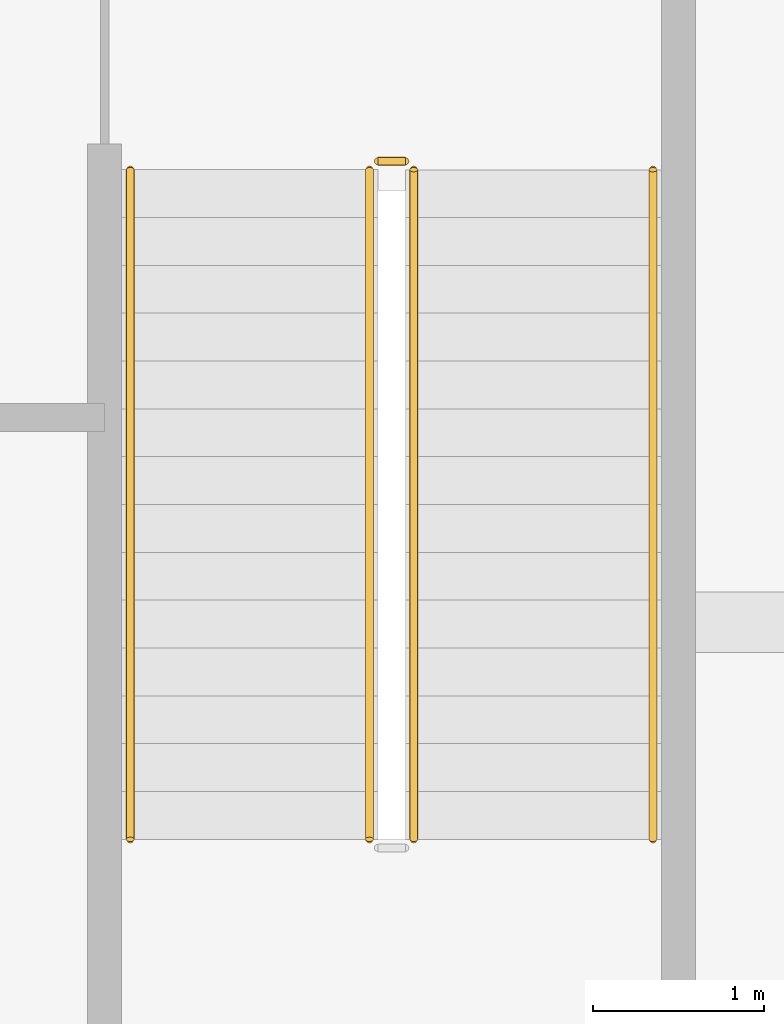
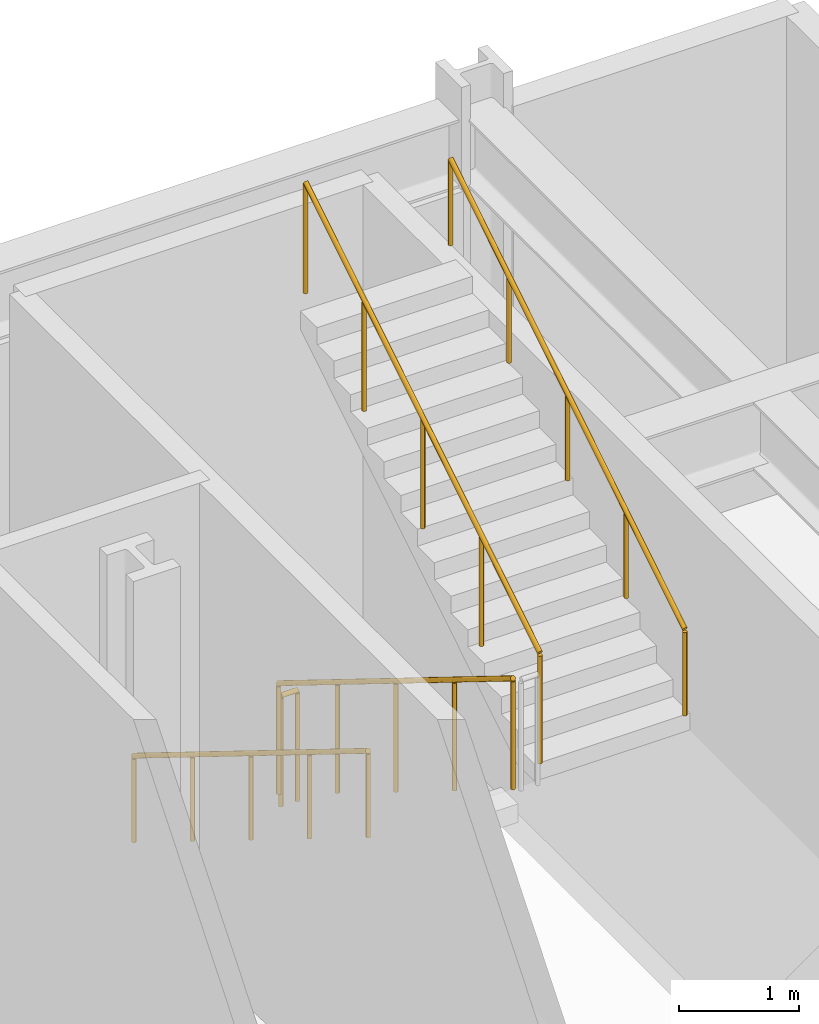
# One storey, part 21 of 21: 5 railings.
"""IFC4 building model written with IfcOpenShell, lengths in metres."""

from ifc_helpers import new_model, si_unit, direction, frame, origin, origin_2d, place, context, subcontext, project, spatial, circle, extrude, material, type_object, element, save


model = new_model("IFC4")

# Units and contexts
model_context = context("Model", 3, precision=1e-05, world=origin(), true_north=direction((0.0, 1.0)))
body_context = subcontext(model_context, "Body", "Model", "MODEL_VIEW")
ifc_project = project(units=[si_unit("LENGTHUNIT", "METRE"), si_unit("AREAUNIT", "SQUARE_METRE"), si_unit("VOLUMEUNIT", "CUBIC_METRE"), si_unit("PLANEANGLEUNIT", "RADIAN"), si_unit("MASSUNIT", "GRAM", prefix="KILO")], contexts=[model_context])

# Site, building, storey
site_placement = place(None, origin())
site = spatial("IfcSite", under=ifc_project, at=site_placement, CompositionType="ELEMENT")
building_placement = place(site_placement, origin())
building = spatial("IfcBuilding", under=site, at=building_placement, Name="Drelvath Grand Hotel", CompositionType="ELEMENT")
storey_placement = place(building_placement, frame((0.0, 0.0, 22.39990234375)))
storey = spatial("IfcBuildingStorey", under=building, at=storey_placement, Name="L04", CompositionType="ELEMENT", Elevation=22.39990234375)

# Railings
ifc_material = material(Name="Painted Steel S275", Category="steel")
railing_type_1 = type_object("IfcRailingType", Name="Core Stair Wall Handrail 900", PredefinedType="HANDRAIL", material=ifc_material)
railing_1_placement = place(storey_placement, frame((28.469970703125, 51.85009765625, 0.17333984375)))
element("IfcRailing", 1, at=railing_1_placement, inside=storey, type_object=railing_type_1, Name="L04 ST-4 stair handrail 1", PredefinedType="HANDRAIL", context=body_context, shape_type="SweptSolid", body=[
    extrude(circle(Radius=0.02392578125, at=origin_2d()), frame((0.0, 0.0, 0.8759765625), z_axis=(0.0, -0.850266275192, 0.526352791643), x_axis=(1.0, 0.0, 0.0)), (0.0, 0.0, 1.0), 4.610595703125),
    extrude(circle(Radius=0.02099609375, at=origin_2d()), origin(), (0.0, 0.0, 1.0), 0.851806640625),
    extrude(circle(Radius=0.02099609375, at=origin_2d()), frame((0.0, -0.97998046875, 0.606689453125)), (0.0, 0.0, 1.0), 0.851806640625),
    extrude(circle(Radius=0.02099609375, at=origin_2d()), frame((0.0, -1.9599609375, 1.21337890625)), (0.0, 0.0, 1.0), 0.851806640625),
    extrude(circle(Radius=0.02099609375, at=origin_2d()), frame((0.0, -2.940185546875, 1.820068359375)), (0.0, 0.0, 1.0), 0.851806640625),
    extrude(circle(Radius=0.02099609375, at=origin_2d()), frame((0.0, -3.920166015625, 2.4267578125)), (0.0, 0.0, 1.0), 0.851806640625),
])
railing_2_placement = place(storey_placement, frame((31.530029296875, 47.929931640625, 2.7734375)))
element("IfcRailing", 2, at=railing_2_placement, inside=storey, type_object=railing_type_1, Name="L04 ST-4 stair handrail 2", PredefinedType="HANDRAIL", context=body_context, shape_type="SweptSolid", body=[
    extrude(circle(Radius=0.02392578125, at=origin_2d()), frame((0.0, 0.0, 0.8759765625), z_axis=(0.0, 0.850266275192, 0.526352791643), x_axis=(-1.0, 0.0, 0.0)), (0.0, 0.0, 1.0), 4.610595703125),
    extrude(circle(Radius=0.02099609375, at=origin_2d()), origin(), (0.0, 0.0, 1.0), 0.851806640625),
    extrude(circle(Radius=0.02099609375, at=origin_2d()), frame((0.0, 0.97998046875, 0.606689453125)), (0.0, 0.0, 1.0), 0.851806640625),
    extrude(circle(Radius=0.02099609375, at=origin_2d()), frame((0.0, 1.9599609375, 1.21337890625)), (0.0, 0.0, 1.0), 0.851806640625),
    extrude(circle(Radius=0.02099609375, at=origin_2d()), frame((0.0, 2.940185546875, 1.820068359375)), (0.0, 0.0, 1.0), 0.851806640625),
    extrude(circle(Radius=0.02099609375, at=origin_2d()), frame((0.0, 3.920166015625, 2.4267578125)), (0.0, 0.0, 1.0), 0.851806640625),
])
railing_type_2 = type_object("IfcRailingType", Name="Core Stair Well Guardrail 1100", PredefinedType="GUARDRAIL", material=ifc_material)
railing_3_placement = place(storey_placement, frame((29.8701171875, 51.85009765625, 0.17333984375)))
element("IfcRailing", 3, at=railing_3_placement, inside=storey, type_object=railing_type_2, Name="L04 ST-4 stair guard 1", PredefinedType="GUARDRAIL", context=body_context, shape_type="SweptSolid", body=[
    extrude(circle(Radius=0.02392578125, at=origin_2d()), frame((0.0, 0.0, 1.1259765625), z_axis=(0.0, -0.850266275192, 0.526352791643), x_axis=(1.0, 0.0, 0.0)), (0.0, 0.0, 1.0), 4.610595703125),
    extrude(circle(Radius=0.02099609375, at=origin_2d()), origin(), (0.0, 0.0, 1.0), 1.101806640625),
    extrude(circle(Radius=0.02099609375, at=origin_2d()), frame((0.0, -0.97998046875, 0.606689453125)), (0.0, 0.0, 1.0), 1.101806640625),
    extrude(circle(Radius=0.02099609375, at=origin_2d()), frame((0.0, -1.9599609375, 1.21337890625)), (0.0, 0.0, 1.0), 1.101806640625),
    extrude(circle(Radius=0.02099609375, at=origin_2d()), frame((0.0, -2.940185546875, 1.820068359375)), (0.0, 0.0, 1.0), 1.101806640625),
    extrude(circle(Radius=0.02099609375, at=origin_2d()), frame((0.0, -3.920166015625, 2.4267578125)), (0.0, 0.0, 1.0), 1.101806640625),
])
railing_4_placement = place(storey_placement, frame((30.1298828125, 47.929931640625, 2.7734375)))
element("IfcRailing", 4, at=railing_4_placement, inside=storey, type_object=railing_type_2, Name="L04 ST-4 stair guard 3", PredefinedType="GUARDRAIL", context=body_context, shape_type="SweptSolid", body=[
    extrude(circle(Radius=0.02392578125, at=origin_2d()), frame((0.0, 0.0, 1.1259765625), z_axis=(0.0, 0.850266275192, 0.526352791643), x_axis=(-1.0, 0.0, 0.0)), (0.0, 0.0, 1.0), 4.610595703125),
    extrude(circle(Radius=0.02099609375, at=origin_2d()), origin(), (0.0, 0.0, 1.0), 1.101806640625),
    extrude(circle(Radius=0.02099609375, at=origin_2d()), frame((0.0, 0.97998046875, 0.606689453125)), (0.0, 0.0, 1.0), 1.101806640625),
    extrude(circle(Radius=0.02099609375, at=origin_2d()), frame((0.0, 1.9599609375, 1.21337890625)), (0.0, 0.0, 1.0), 1.101806640625),
    extrude(circle(Radius=0.02099609375, at=origin_2d()), frame((0.0, 2.940185546875, 1.820068359375)), (0.0, 0.0, 1.0), 1.101806640625),
    extrude(circle(Radius=0.02099609375, at=origin_2d()), frame((0.0, 3.920166015625, 2.4267578125)), (0.0, 0.0, 1.0), 1.101806640625),
])
railing_5_placement = place(storey_placement, frame((29.919921875, 51.89990234375, 0.0)))
element("IfcRailing", 5, at=railing_5_placement, inside=storey, type_object=railing_type_2, Name="L04 ST-4 stair guard 4", PredefinedType="GUARDRAIL", context=body_context, shape_type="SweptSolid", body=[
    extrude(circle(Radius=0.02392578125, at=origin_2d()), frame((0.0, 0.0, 1.1259765625), z_axis=(1.0, 0.0, 0.0), x_axis=(0.0, 1.0, 0.0)), (0.0, 0.0, 1.0), 0.16015625),
    extrude(circle(Radius=0.02099609375, at=origin_2d()), origin(), (0.0, 0.0, 1.0), 1.101806640625),
    extrude(circle(Radius=0.02099609375, at=origin_2d()), frame((0.16015625, 0.0, 0.0)), (0.0, 0.0, 1.0), 1.101806640625),
])

save(model, "model.ifc")
